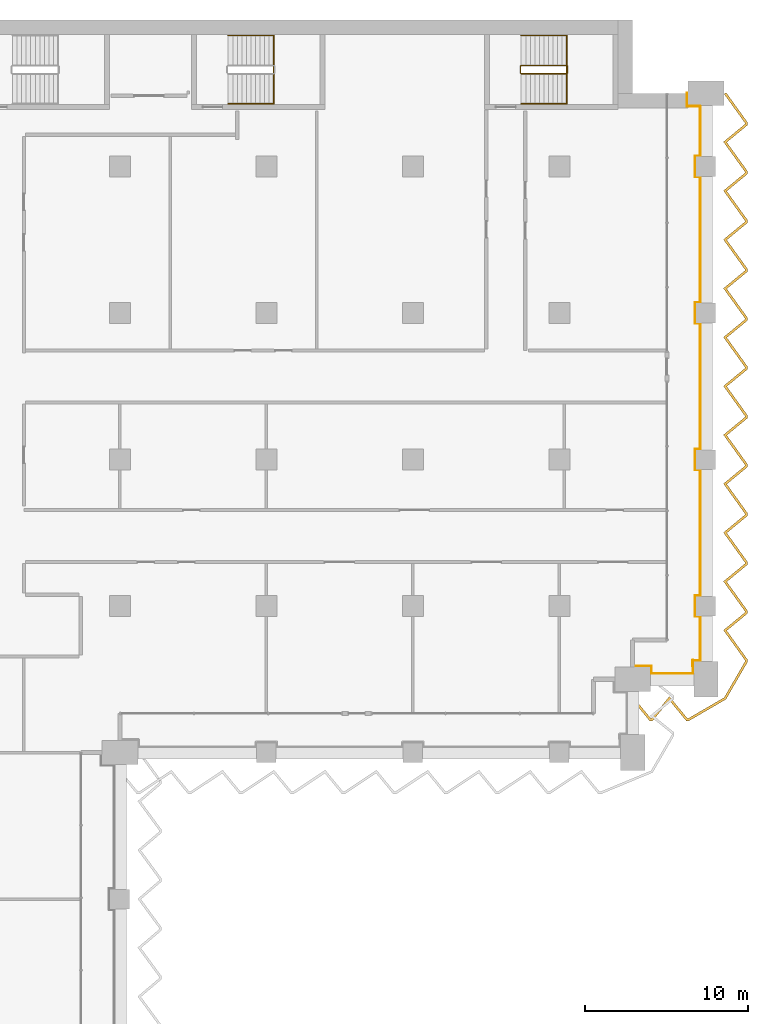
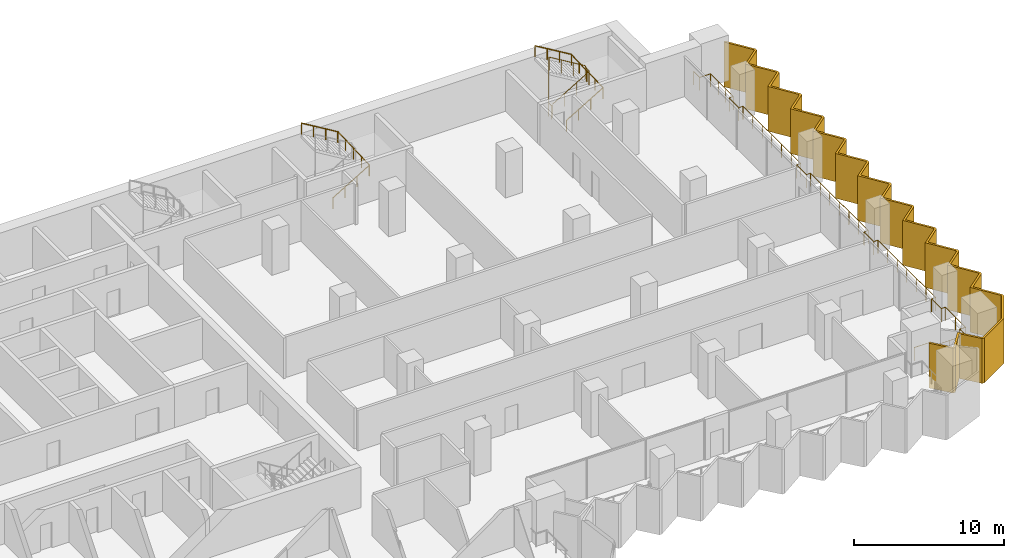
# One storey, part 23 of 23: 4 railings, 1 shading device.
"""IFC4 building model written with IfcOpenShell, lengths in metres."""

from ifc_helpers import new_model, si_unit, direction, frame, origin, origin_2d, place, context, subcontext, project, spatial, polyline, circle, outline, extrude, material, layer, layer_set, type_object, element, save


model = new_model("IFC4")

# Units and contexts
model_context = context("Model", 3, precision=1e-05, world=origin(), true_north=direction((0.0, 1.0)))
body_context = subcontext(model_context, "Body", "Model", "MODEL_VIEW")
ifc_project = project(units=[si_unit("LENGTHUNIT", "METRE"), si_unit("AREAUNIT", "SQUARE_METRE"), si_unit("VOLUMEUNIT", "CUBIC_METRE"), si_unit("PLANEANGLEUNIT", "RADIAN"), si_unit("MASSUNIT", "GRAM", prefix="KILO")], contexts=[model_context])

# Site, building, storey
site_placement = place(None, origin())
site = spatial("IfcSite", under=ifc_project, at=site_placement, CompositionType="ELEMENT")
building_placement = place(site_placement, origin())
building = spatial("IfcBuilding", under=site, at=building_placement, Name="Hunhe Ridgeline Campus", CompositionType="ELEMENT")
storey_placement = place(building_placement, frame((0.0, 0.0, 103.300048828125)))
storey = spatial("IfcBuildingStorey", under=building, at=storey_placement, Name="L25", CompositionType="ELEMENT", Elevation=103.300048828125)

# Railing
ifc_material_1 = material(Name="Steel Q355", Category="steel")
railing_type_1 = type_object("IfcRailingType", Name="Loggia guard 1100 Steel Q355", PredefinedType="GUARDRAIL", material=ifc_material_1)
railing_1_placement = place(storey_placement, frame((76.5, 59.320068359375, 0.0)))
element("IfcRailing", 1, at=railing_1_placement, inside=storey, type_object=railing_type_1, Name="Loggia guard 3", PredefinedType="GUARDRAIL", context=body_context, shape_type="SweptSolid", body=[
    extrude(circle(Radius=0.02392578125, at=origin_2d()), frame((0.0, 0.0, 1.076171875), z_axis=(1.0, 0.0, 0.0), x_axis=(0.0, 1.0, 0.0)), (0.0, 0.0, 1.0), 1.14990234375),
    extrude(circle(Radius=0.02392578125, at=origin_2d()), frame((1.14990234375, 0.0, 1.076171875), z_axis=(0.0, -1.0, 0.0), x_axis=(1.0, 0.0, 0.0)), (0.0, 0.0, 1.0), 0.469970703125),
    extrude(circle(Radius=0.02392578125, at=origin_2d()), frame((1.14990234375, -0.469970703125, 1.076171875), z_axis=(1.0, 0.0, 0.0), x_axis=(0.0, 1.0, 0.0)), (0.0, 0.0, 1.0), 2.550048828125),
    extrude(circle(Radius=0.02392578125, at=origin_2d()), frame((3.699951171875, -0.469970703125, 1.076171875), z_axis=(0.0, 1.0, 0.0), x_axis=(-1.0, 0.0, 0.0)), (0.0, 0.0, 1.0), 0.81982421875),
    extrude(circle(Radius=0.02392578125, at=origin_2d()), frame((3.699951171875, 0.349853515625, 1.076171875), z_axis=(-0.057129153726, -0.99836679622, 0.0), x_axis=(0.99836679622, -0.057129153726, 0.0)), (0.0, 0.0, 1.0), 0.350341796875),
    extrude(circle(Radius=0.02392578125, at=origin_2d()), frame((3.679931640625, 0.0, 1.076171875), z_axis=(0.0, 1.0, 0.0), x_axis=(-1.0, 0.0, 0.0)), (0.0, 0.0, 1.0), 0.329833984375),
    extrude(circle(Radius=0.02392578125, at=origin_2d()), frame((3.679931640625, 0.329833984375, 1.076171875), z_axis=(1.0, 0.0, 0.0), x_axis=(0.0, 1.0, 0.0)), (0.0, 0.0, 1.0), 0.469970703125),
    extrude(circle(Radius=0.02392578125, at=origin_2d()), frame((4.14990234375, 0.329833984375, 1.076171875), z_axis=(0.0, 1.0, 0.0), x_axis=(-1.0, 0.0, 0.0)), (0.0, 0.0, 1.0), 2.7001953125),
    extrude(circle(Radius=0.02392578125, at=origin_2d()), frame((4.14990234375, 3.030029296875, 1.076171875), z_axis=(-1.0, 0.0, 0.0), x_axis=(0.0, -1.0, 0.0)), (0.0, 0.0, 1.0), 0.31982421875),
    extrude(circle(Radius=0.02392578125, at=origin_2d()), frame((3.830078125, 3.030029296875, 1.076171875), z_axis=(0.0, 1.0, 0.0), x_axis=(-1.0, 0.0, 0.0)), (0.0, 0.0, 1.0), 1.2998046875),
    extrude(circle(Radius=0.02392578125, at=origin_2d()), frame((3.830078125, 4.329833984375, 1.076171875), z_axis=(1.0, 0.0, 0.0), x_axis=(0.0, 1.0, 0.0)), (0.0, 0.0, 1.0), 0.31982421875),
    extrude(circle(Radius=0.02392578125, at=origin_2d()), frame((4.14990234375, 4.329833984375, 1.076171875), z_axis=(0.0, 1.0, 0.0), x_axis=(-1.0, 0.0, 0.0)), (0.0, 0.0, 1.0), 7.7001953125),
    extrude(circle(Radius=0.02392578125, at=origin_2d()), frame((4.14990234375, 12.030029296875, 1.076171875), z_axis=(-1.0, 0.0, 0.0), x_axis=(0.0, -1.0, 0.0)), (0.0, 0.0, 1.0), 0.31982421875),
    extrude(circle(Radius=0.02392578125, at=origin_2d()), frame((3.830078125, 12.030029296875, 1.076171875), z_axis=(0.0, 1.0, 0.0), x_axis=(-1.0, 0.0, 0.0)), (0.0, 0.0, 1.0), 1.2998046875),
    extrude(circle(Radius=0.02392578125, at=origin_2d()), frame((3.830078125, 13.329833984375, 1.076171875), z_axis=(1.0, 0.0, 0.0), x_axis=(0.0, 1.0, 0.0)), (0.0, 0.0, 1.0), 0.31982421875),
    extrude(circle(Radius=0.02392578125, at=origin_2d()), frame((4.14990234375, 13.329833984375, 1.076171875), z_axis=(0.0, 1.0, 0.0), x_axis=(-1.0, 0.0, 0.0)), (0.0, 0.0, 1.0), 7.7001953125),
    extrude(circle(Radius=0.02392578125, at=origin_2d()), frame((4.14990234375, 21.030029296875, 1.076171875), z_axis=(-1.0, 0.0, 0.0), x_axis=(0.0, -1.0, 0.0)), (0.0, 0.0, 1.0), 0.31982421875),
    extrude(circle(Radius=0.02392578125, at=origin_2d()), frame((3.830078125, 21.030029296875, 1.076171875), z_axis=(0.0, 1.0, 0.0), x_axis=(-1.0, 0.0, 0.0)), (0.0, 0.0, 1.0), 1.2998046875),
    extrude(circle(Radius=0.02392578125, at=origin_2d()), frame((3.830078125, 22.329833984375, 1.076171875), z_axis=(1.0, 0.0, 0.0), x_axis=(0.0, 1.0, 0.0)), (0.0, 0.0, 1.0), 0.31982421875),
    extrude(circle(Radius=0.02392578125, at=origin_2d()), frame((4.14990234375, 22.329833984375, 1.076171875), z_axis=(0.0, 1.0, 0.0), x_axis=(-1.0, 0.0, 0.0)), (0.0, 0.0, 1.0), 7.7001953125),
    extrude(circle(Radius=0.02392578125, at=origin_2d()), frame((4.14990234375, 30.030029296875, 1.076171875), z_axis=(-1.0, 0.0, 0.0), x_axis=(0.0, -1.0, 0.0)), (0.0, 0.0, 1.0), 0.31982421875),
    extrude(circle(Radius=0.02392578125, at=origin_2d()), frame((3.830078125, 30.030029296875, 1.076171875), z_axis=(0.0, 1.0, 0.0), x_axis=(-1.0, 0.0, 0.0)), (0.0, 0.0, 1.0), 1.2998046875),
    extrude(circle(Radius=0.02392578125, at=origin_2d()), frame((3.830078125, 31.329833984375, 1.076171875), z_axis=(1.0, 0.0, 0.0), x_axis=(0.0, 1.0, 0.0)), (0.0, 0.0, 1.0), 0.31982421875),
    extrude(circle(Radius=0.02392578125, at=origin_2d()), frame((4.14990234375, 31.329833984375, 1.076171875), z_axis=(0.0, 1.0, 0.0), x_axis=(-1.0, 0.0, 0.0)), (0.0, 0.0, 1.0), 3.050048828125),
    extrude(circle(Radius=0.02392578125, at=origin_2d()), frame((4.14990234375, 34.3798828125, 1.076171875), z_axis=(-1.0, 0.0, 0.0), x_axis=(0.0, -1.0, 0.0)), (0.0, 0.0, 1.0), 0.81982421875),
    extrude(circle(Radius=0.02392578125, at=origin_2d()), frame((3.330078125, 34.3798828125, 1.076171875), z_axis=(0.0, 1.0, 0.0), x_axis=(-1.0, 0.0, 0.0)), (0.0, 0.0, 1.0), 0.800048828125),
    extrude(circle(Radius=0.02099609375, at=origin_2d()), origin(), (0.0, 0.0, 1.0), 1.052001953125),
    extrude(circle(Radius=0.02099609375, at=origin_2d()), frame((1.14990234375, 0.0, 0.0)), (0.0, 0.0, 1.0), 1.052001953125),
    extrude(circle(Radius=0.02099609375, at=origin_2d()), frame((1.14990234375, -0.469970703125, 0.0)), (0.0, 0.0, 1.0), 1.052001953125),
    extrude(circle(Radius=0.02099609375, at=origin_2d()), frame((2.4248046875, -0.469970703125, 0.0)), (0.0, 0.0, 1.0), 1.052001953125),
    extrude(circle(Radius=0.02099609375, at=origin_2d()), frame((3.699951171875, -0.469970703125, 0.0)), (0.0, 0.0, 1.0), 1.052001953125),
    extrude(circle(Radius=0.02099609375, at=origin_2d()), frame((3.699951171875, 0.349853515625, 0.0)), (0.0, 0.0, 1.0), 1.052001953125),
    extrude(circle(Radius=0.02099609375, at=origin_2d()), frame((3.679931640625, 0.0, 0.0)), (0.0, 0.0, 1.0), 1.052001953125),
    extrude(circle(Radius=0.02099609375, at=origin_2d()), frame((3.679931640625, 0.329833984375, 0.0)), (0.0, 0.0, 1.0), 1.052001953125),
    extrude(circle(Radius=0.02099609375, at=origin_2d()), frame((4.14990234375, 0.329833984375, 0.0)), (0.0, 0.0, 1.0), 1.052001953125),
    extrude(circle(Radius=0.02099609375, at=origin_2d()), frame((4.14990234375, 1.679931640625, 0.0)), (0.0, 0.0, 1.0), 1.052001953125),
    extrude(circle(Radius=0.02099609375, at=origin_2d()), frame((4.14990234375, 3.030029296875, 0.0)), (0.0, 0.0, 1.0), 1.052001953125),
    extrude(circle(Radius=0.02099609375, at=origin_2d()), frame((3.830078125, 3.030029296875, 0.0)), (0.0, 0.0, 1.0), 1.052001953125),
    extrude(circle(Radius=0.02099609375, at=origin_2d()), frame((3.830078125, 4.329833984375, 0.0)), (0.0, 0.0, 1.0), 1.052001953125),
    extrude(circle(Radius=0.02099609375, at=origin_2d()), frame((4.14990234375, 4.329833984375, 0.0)), (0.0, 0.0, 1.0), 1.052001953125),
    extrude(circle(Radius=0.02099609375, at=origin_2d()), frame((4.14990234375, 5.61328125, 0.0)), (0.0, 0.0, 1.0), 1.052001953125),
    extrude(circle(Radius=0.02099609375, at=origin_2d()), frame((4.14990234375, 6.896484375, 0.0)), (0.0, 0.0, 1.0), 1.052001953125),
    extrude(circle(Radius=0.02099609375, at=origin_2d()), frame((4.14990234375, 8.179931640625, 0.0)), (0.0, 0.0, 1.0), 1.052001953125),
    extrude(circle(Radius=0.02099609375, at=origin_2d()), frame((4.14990234375, 9.46337890625, 0.0)), (0.0, 0.0, 1.0), 1.052001953125),
    extrude(circle(Radius=0.02099609375, at=origin_2d()), frame((4.14990234375, 10.74658203125, 0.0)), (0.0, 0.0, 1.0), 1.052001953125),
    extrude(circle(Radius=0.02099609375, at=origin_2d()), frame((4.14990234375, 12.030029296875, 0.0)), (0.0, 0.0, 1.0), 1.052001953125),
    extrude(circle(Radius=0.02099609375, at=origin_2d()), frame((3.830078125, 12.030029296875, 0.0)), (0.0, 0.0, 1.0), 1.052001953125),
    extrude(circle(Radius=0.02099609375, at=origin_2d()), frame((3.830078125, 13.329833984375, 0.0)), (0.0, 0.0, 1.0), 1.052001953125),
    extrude(circle(Radius=0.02099609375, at=origin_2d()), frame((4.14990234375, 13.329833984375, 0.0)), (0.0, 0.0, 1.0), 1.052001953125),
    extrude(circle(Radius=0.02099609375, at=origin_2d()), frame((4.14990234375, 14.61328125, 0.0)), (0.0, 0.0, 1.0), 1.052001953125),
    extrude(circle(Radius=0.02099609375, at=origin_2d()), frame((4.14990234375, 15.896484375, 0.0)), (0.0, 0.0, 1.0), 1.052001953125),
    extrude(circle(Radius=0.02099609375, at=origin_2d()), frame((4.14990234375, 17.179931640625, 0.0)), (0.0, 0.0, 1.0), 1.052001953125),
    extrude(circle(Radius=0.02099609375, at=origin_2d()), frame((4.14990234375, 18.46337890625, 0.0)), (0.0, 0.0, 1.0), 1.052001953125),
    extrude(circle(Radius=0.02099609375, at=origin_2d()), frame((4.14990234375, 19.74658203125, 0.0)), (0.0, 0.0, 1.0), 1.052001953125),
    extrude(circle(Radius=0.02099609375, at=origin_2d()), frame((4.14990234375, 21.030029296875, 0.0)), (0.0, 0.0, 1.0), 1.052001953125),
    extrude(circle(Radius=0.02099609375, at=origin_2d()), frame((3.830078125, 21.030029296875, 0.0)), (0.0, 0.0, 1.0), 1.052001953125),
    extrude(circle(Radius=0.02099609375, at=origin_2d()), frame((3.830078125, 22.329833984375, 0.0)), (0.0, 0.0, 1.0), 1.052001953125),
    extrude(circle(Radius=0.02099609375, at=origin_2d()), frame((4.14990234375, 22.329833984375, 0.0)), (0.0, 0.0, 1.0), 1.052001953125),
    extrude(circle(Radius=0.02099609375, at=origin_2d()), frame((4.14990234375, 23.61328125, 0.0)), (0.0, 0.0, 1.0), 1.052001953125),
    extrude(circle(Radius=0.02099609375, at=origin_2d()), frame((4.14990234375, 24.896484375, 0.0)), (0.0, 0.0, 1.0), 1.052001953125),
    extrude(circle(Radius=0.02099609375, at=origin_2d()), frame((4.14990234375, 26.179931640625, 0.0)), (0.0, 0.0, 1.0), 1.052001953125),
    extrude(circle(Radius=0.02099609375, at=origin_2d()), frame((4.14990234375, 27.46337890625, 0.0)), (0.0, 0.0, 1.0), 1.052001953125),
    extrude(circle(Radius=0.02099609375, at=origin_2d()), frame((4.14990234375, 28.74658203125, 0.0)), (0.0, 0.0, 1.0), 1.052001953125),
    extrude(circle(Radius=0.02099609375, at=origin_2d()), frame((4.14990234375, 30.030029296875, 0.0)), (0.0, 0.0, 1.0), 1.052001953125),
    extrude(circle(Radius=0.02099609375, at=origin_2d()), frame((3.830078125, 30.030029296875, 0.0)), (0.0, 0.0, 1.0), 1.052001953125),
    extrude(circle(Radius=0.02099609375, at=origin_2d()), frame((3.830078125, 31.329833984375, 0.0)), (0.0, 0.0, 1.0), 1.052001953125),
    extrude(circle(Radius=0.02099609375, at=origin_2d()), frame((4.14990234375, 31.329833984375, 0.0)), (0.0, 0.0, 1.0), 1.052001953125),
    extrude(circle(Radius=0.02099609375, at=origin_2d()), frame((4.14990234375, 32.346435546875, 0.0)), (0.0, 0.0, 1.0), 1.052001953125),
    extrude(circle(Radius=0.02099609375, at=origin_2d()), frame((4.14990234375, 33.36328125, 0.0)), (0.0, 0.0, 1.0), 1.052001953125),
    extrude(circle(Radius=0.02099609375, at=origin_2d()), frame((4.14990234375, 34.3798828125, 0.0)), (0.0, 0.0, 1.0), 1.052001953125),
    extrude(circle(Radius=0.02099609375, at=origin_2d()), frame((3.330078125, 34.3798828125, 0.0)), (0.0, 0.0, 1.0), 1.052001953125),
    extrude(circle(Radius=0.02099609375, at=origin_2d()), frame((3.330078125, 35.179931640625, 0.0)), (0.0, 0.0, 1.0), 1.052001953125),
])

# Shading device
ifc_material_2 = material(Name="Concrete C50", Category="concrete")
ifc_layer = layer(ifc_material_2, 0.14990234375)
ifc_layer_set = layer_set([ifc_layer], Name="Sawtooth concrete fin 150 Concrete C50")
shading_device_type = type_object("IfcShadingDeviceType", Name="Sawtooth concrete fin 150 Concrete C50", PredefinedType="USERDEFINED", material=ifc_layer_set)
shading_device_placement = place(storey_placement, frame((0.0, 0.0, -0.949951171875)))
element("IfcShadingDevice", 2, at=shading_device_placement, inside=storey, type_object=shading_device_type, Name="Concrete fin screen 3", ObjectType="FIN", PredefinedType="USERDEFINED", context=body_context, shape_type="SweptSolid", body=[
    extrude(outline(polyline([(76.557861328125, 57.372802734375), (76.442138671875, 57.27734375), (77.537353515625, 55.949951171875), (77.728271484375, 55.949951171875), (78.75048828125, 57.20654296875), (79.787353515625, 55.949951171875), (79.962890625, 55.949951171875), (82.22998046875, 57.270263671875), (83.550048828125, 59.552490234375), (83.550048828125, 59.716796875), (82.27685546875, 61.48681640625), (83.550048828125, 62.537353515625), (83.550048828125, 62.716796875), (82.27685546875, 64.48681640625), (83.550048828125, 65.537353515625), (83.550048828125, 65.716796875), (82.27685546875, 67.48681640625), (83.550048828125, 68.537353515625), (83.550048828125, 68.716796875), (82.27685546875, 70.48681640625), (83.550048828125, 71.537353515625), (83.550048828125, 71.716796875), (82.27685546875, 73.48681640625), (83.550048828125, 74.537353515625), (83.550048828125, 74.716796875), (82.27685546875, 76.48681640625), (83.550048828125, 77.537353515625), (83.550048828125, 77.716796875), (82.27685546875, 79.48681640625), (83.550048828125, 80.537353515625), (83.550048828125, 80.716796875), (82.27685546875, 82.48681640625), (83.550048828125, 83.537353515625), (83.550048828125, 83.716796875), (82.27685546875, 85.48681640625), (83.550048828125, 86.537353515625), (83.550048828125, 86.716796875), (82.27685546875, 88.48681640625), (83.550048828125, 89.537353515625), (83.550048828125, 89.716796875), (82.27685546875, 91.48681640625), (83.550048828125, 92.537353515625), (83.550048828125, 92.716796875), (82.23583984375, 94.543701171875), (82.114013671875, 94.456298828125), (83.39990234375, 92.66845703125), (83.39990234375, 92.60791015625), (82.0732421875, 91.51318359375), (83.39990234375, 89.66845703125), (83.39990234375, 89.60791015625), (82.0732421875, 88.51318359375), (83.39990234375, 86.66845703125), (83.39990234375, 86.60791015625), (82.0732421875, 85.51318359375), (83.39990234375, 83.66845703125), (83.39990234375, 83.60791015625), (82.0732421875, 82.51318359375), (83.39990234375, 80.66845703125), (83.39990234375, 80.60791015625), (82.0732421875, 79.51318359375), (83.39990234375, 77.66845703125), (83.39990234375, 77.60791015625), (82.0732421875, 76.51318359375), (83.39990234375, 74.66845703125), (83.39990234375, 74.60791015625), (82.0732421875, 73.51318359375), (83.39990234375, 71.66845703125), (83.39990234375, 71.60791015625), (82.0732421875, 70.51318359375), (83.39990234375, 68.66845703125), (83.39990234375, 68.60791015625), (82.0732421875, 67.51318359375), (83.39990234375, 65.66845703125), (83.39990234375, 65.60791015625), (82.0732421875, 64.51318359375), (83.39990234375, 62.66845703125), (83.39990234375, 62.60791015625), (82.0732421875, 61.51318359375), (83.39990234375, 59.66845703125), (83.39990234375, 59.5927734375), (82.1201171875, 57.3798828125), (79.92236328125, 56.10009765625), (79.85791015625, 56.10009765625), (78.74951171875, 57.443359375), (77.656982421875, 56.10009765625), (77.60791015625, 56.10009765625), (76.557861328125, 57.372802734375)])), origin(), (0.0, 0.0, 1.0), 3.64990234375),
])

# Railings
ifc_material_3 = material(Name="Stainless steel balustrade", Category="steel")
railing_type_2 = type_object("IfcRailingType", Name="Stair guard 1100 stainless", PredefinedType="GUARDRAIL", material=ifc_material_3)
railing_2_placement = place(storey_placement, frame((69.64990234375, 95.699951171875, 0.168212890625)))
element("IfcRailing", 3, at=railing_2_placement, inside=storey, type_object=railing_type_2, Name="L25 stair E3 guard", PredefinedType="GUARDRAIL", context=body_context, shape_type="SweptSolid", body=[
    extrude(circle(Radius=0.02392578125, at=origin_2d()), frame((0.0, 0.0, 1.076171875), z_axis=(0.857275202839, 0.0, 0.514858452973), x_axis=(0.0, 1.0, 0.0)), (0.0, 0.0, 1.0), 3.26611328125),
    extrude(circle(Radius=0.02392578125, at=origin_2d()), frame((2.800048828125, 0.0, 2.7578125), z_axis=(0.707106781187, 0.707106781187, 0.0), x_axis=(-0.707106781187, 0.707106781187, 0.0)), (0.0, 0.0, 1.0), 0.07080078125),
    extrude(circle(Radius=0.02392578125, at=origin_2d()), frame((2.85009765625, 0.050048828125, 2.7578125), z_axis=(0.0, 1.0, 0.0), x_axis=(-1.0, 0.0, 0.0)), (0.0, 0.0, 1.0), 0.39990234375),
    extrude(circle(Radius=0.02392578125, at=origin_2d()), frame((2.85009765625, 0.449951171875, 2.7578125), z_axis=(-0.274243871929, 0.274243871929, 0.92172696468), x_axis=(-0.707106781187, -0.707106781187, 0.0)), (0.0, 0.0, 1.0), 0.1826171875),
    extrude(circle(Radius=0.02392578125, at=origin_2d()), frame((2.800048828125, 0.5, 2.92578125), z_axis=(-0.857242210791, 0.0, 0.514913383045), x_axis=(0.0, -1.0, 0.0)), (0.0, 0.0, 1.0), 3.266357421875),
    extrude(circle(Radius=0.02392578125, at=origin_2d()), frame((0.0, 0.5, 4.60791015625), z_axis=(-0.013458453615, -0.013524426427, -0.999817963389), x_axis=(0.708833529934, -0.705375805398, 0.0)), (0.0, 0.0, 1.0), 3.70068359375),
    extrude(circle(Radius=0.02392578125, at=origin_2d()), frame((-0.0498046875, 0.449951171875, 0.90771484375), z_axis=(0.0, -1.0, 0.0), x_axis=(1.0, 0.0, 0.0)), (0.0, 0.0, 1.0), 0.39990234375),
    extrude(circle(Radius=0.02099609375, at=origin_2d()), origin(), (0.0, 0.0, 1.0), 1.052001953125),
    extrude(circle(Radius=0.02099609375, at=origin_2d()), frame((0.933349609375, 0.0, 0.560546875)), (0.0, 0.0, 1.0), 1.052001953125),
    extrude(circle(Radius=0.02099609375, at=origin_2d()), frame((1.86669921875, 0.0, 1.12109375)), (0.0, 0.0, 1.0), 1.052001953125),
    extrude(circle(Radius=0.02099609375, at=origin_2d()), frame((2.800048828125, 0.0, 1.681640625)), (0.0, 0.0, 1.0), 1.052001953125),
    extrude(circle(Radius=0.02099609375, at=origin_2d()), frame((2.85009765625, 0.050048828125, 1.681640625)), (0.0, 0.0, 1.0), 1.052001953125),
    extrude(circle(Radius=0.02099609375, at=origin_2d()), frame((2.85009765625, 0.449951171875, 1.681640625)), (0.0, 0.0, 1.0), 1.052001953125),
    extrude(circle(Radius=0.02099609375, at=origin_2d()), frame((2.800048828125, 0.5, 1.849853515625)), (0.0, 0.0, 1.0), 1.052001953125),
    extrude(circle(Radius=0.02099609375, at=origin_2d()), frame((1.86669921875, 0.5, 2.410400390625)), (0.0, 0.0, 1.0), 1.052001953125),
    extrude(circle(Radius=0.02099609375, at=origin_2d()), frame((0.933349609375, 0.5, 2.97119140625)), (0.0, 0.0, 1.0), 1.052001953125),
    extrude(circle(Radius=0.02099609375, at=origin_2d()), frame((0.0, 0.5, 3.53173828125)), (0.0, 0.0, 1.0), 1.052001953125),
    extrude(circle(Radius=0.02099609375, at=origin_2d()), frame((-0.012451171875, 0.487548828125, 2.606689453125)), (0.0, 0.0, 1.0), 1.052001953125),
    extrude(circle(Radius=0.02099609375, at=origin_2d()), frame((-0.02490234375, 0.47509765625, 1.681640625)), (0.0, 0.0, 1.0), 1.052001953125),
    extrude(circle(Radius=0.02099609375, at=origin_2d()), frame((-0.037353515625, 0.46240234375, 0.7568359375)), (0.0, 0.0, 1.0), 1.052001953125),
    extrude(circle(Radius=0.02099609375, at=origin_2d()), frame((-0.0498046875, 0.449951171875, -0.168212890625)), (0.0, 0.0, 1.0), 1.052001953125),
    extrude(circle(Radius=0.02099609375, at=origin_2d()), frame((-0.0498046875, 0.050048828125, -0.168212890625)), (0.0, 0.0, 1.0), 1.052001953125),
])
ifc_material_4 = material(Name="Stainless steel handrail", Category="steel")
railing_type_3 = type_object("IfcRailingType", Name="Stair handrail 900 stainless", PredefinedType="HANDRAIL", material=ifc_material_4)
railing_3_placement = place(storey_placement, frame((51.64990234375, 93.85009765625, 0.168212890625)))
element("IfcRailing", 4, at=railing_3_placement, inside=storey, type_object=railing_type_3, Name="L25 stair E2 handrail", PredefinedType="HANDRAIL", context=body_context, shape_type="SweptSolid", body=[
    extrude(circle(Radius=0.02392578125, at=origin_2d()), frame((0.0, 0.0, 0.8759765625), z_axis=(0.857275202839, 0.0, 0.514858452973), x_axis=(0.0, 1.0, 0.0)), (0.0, 0.0, 1.0), 3.26611328125),
    extrude(circle(Radius=0.02392578125, at=origin_2d()), frame((2.800048828125, 0.0, 2.5576171875), z_axis=(0.0, 0.999198916169, 0.040019069537), x_axis=(-1.0, 0.0, 0.0)), (0.0, 0.0, 1.0), 4.203369140625),
    extrude(circle(Radius=0.02392578125, at=origin_2d()), frame((2.800048828125, 4.199951171875, 2.7255859375), z_axis=(-0.857242210791, 0.0, 0.514913383045), x_axis=(0.0, -1.0, 0.0)), (0.0, 0.0, 1.0), 3.266357421875),
    extrude(circle(Radius=0.02099609375, at=origin_2d()), origin(), (0.0, 0.0, 1.0), 0.851806640625),
    extrude(circle(Radius=0.02099609375, at=origin_2d()), frame((0.933349609375, 0.0, 0.560546875)), (0.0, 0.0, 1.0), 0.851806640625),
    extrude(circle(Radius=0.02099609375, at=origin_2d()), frame((1.86669921875, 0.0, 1.12109375)), (0.0, 0.0, 1.0), 0.851806640625),
    extrude(circle(Radius=0.02099609375, at=origin_2d()), frame((2.800048828125, 0.0, 1.681640625)), (0.0, 0.0, 1.0), 0.851806640625),
    extrude(circle(Radius=0.02099609375, at=origin_2d()), frame((2.800048828125, 1.050048828125, 1.7236328125)), (0.0, 0.0, 1.0), 0.851806640625),
    extrude(circle(Radius=0.02099609375, at=origin_2d()), frame((2.800048828125, 2.10009765625, 1.765625)), (0.0, 0.0, 1.0), 0.851806640625),
    extrude(circle(Radius=0.02099609375, at=origin_2d()), frame((2.800048828125, 3.14990234375, 1.807861328125)), (0.0, 0.0, 1.0), 0.851806640625),
    extrude(circle(Radius=0.02099609375, at=origin_2d()), frame((2.800048828125, 4.199951171875, 1.849853515625)), (0.0, 0.0, 1.0), 0.851806640625),
    extrude(circle(Radius=0.02099609375, at=origin_2d()), frame((1.86669921875, 4.199951171875, 2.410400390625)), (0.0, 0.0, 1.0), 0.851806640625),
    extrude(circle(Radius=0.02099609375, at=origin_2d()), frame((0.933349609375, 4.199951171875, 2.97119140625)), (0.0, 0.0, 1.0), 0.851806640625),
    extrude(circle(Radius=0.02099609375, at=origin_2d()), frame((0.0, 4.199951171875, 3.53173828125)), (0.0, 0.0, 1.0), 0.851806640625),
])
railing_4_placement = place(storey_placement, frame((69.64990234375, 93.85009765625, 0.168212890625)))
element("IfcRailing", 5, at=railing_4_placement, inside=storey, type_object=railing_type_3, Name="L25 stair E3 handrail", PredefinedType="HANDRAIL", context=body_context, shape_type="SweptSolid", body=[
    extrude(circle(Radius=0.02392578125, at=origin_2d()), frame((0.0, 0.0, 0.8759765625), z_axis=(0.857275202839, 0.0, 0.514858452973), x_axis=(0.0, 1.0, 0.0)), (0.0, 0.0, 1.0), 3.26611328125),
    extrude(circle(Radius=0.02392578125, at=origin_2d()), frame((2.800048828125, 0.0, 2.5576171875), z_axis=(0.0, 0.999198916169, 0.040019069537), x_axis=(-1.0, 0.0, 0.0)), (0.0, 0.0, 1.0), 4.203369140625),
    extrude(circle(Radius=0.02392578125, at=origin_2d()), frame((2.800048828125, 4.199951171875, 2.7255859375), z_axis=(-0.857242210791, 0.0, 0.514913383045), x_axis=(0.0, -1.0, 0.0)), (0.0, 0.0, 1.0), 3.266357421875),
    extrude(circle(Radius=0.02099609375, at=origin_2d()), origin(), (0.0, 0.0, 1.0), 0.851806640625),
    extrude(circle(Radius=0.02099609375, at=origin_2d()), frame((0.933349609375, 0.0, 0.560546875)), (0.0, 0.0, 1.0), 0.851806640625),
    extrude(circle(Radius=0.02099609375, at=origin_2d()), frame((1.86669921875, 0.0, 1.12109375)), (0.0, 0.0, 1.0), 0.851806640625),
    extrude(circle(Radius=0.02099609375, at=origin_2d()), frame((2.800048828125, 0.0, 1.681640625)), (0.0, 0.0, 1.0), 0.851806640625),
    extrude(circle(Radius=0.02099609375, at=origin_2d()), frame((2.800048828125, 1.050048828125, 1.7236328125)), (0.0, 0.0, 1.0), 0.851806640625),
    extrude(circle(Radius=0.02099609375, at=origin_2d()), frame((2.800048828125, 2.10009765625, 1.765625)), (0.0, 0.0, 1.0), 0.851806640625),
    extrude(circle(Radius=0.02099609375, at=origin_2d()), frame((2.800048828125, 3.14990234375, 1.807861328125)), (0.0, 0.0, 1.0), 0.851806640625),
    extrude(circle(Radius=0.02099609375, at=origin_2d()), frame((2.800048828125, 4.199951171875, 1.849853515625)), (0.0, 0.0, 1.0), 0.851806640625),
    extrude(circle(Radius=0.02099609375, at=origin_2d()), frame((1.86669921875, 4.199951171875, 2.410400390625)), (0.0, 0.0, 1.0), 0.851806640625),
    extrude(circle(Radius=0.02099609375, at=origin_2d()), frame((0.933349609375, 4.199951171875, 2.97119140625)), (0.0, 0.0, 1.0), 0.851806640625),
    extrude(circle(Radius=0.02099609375, at=origin_2d()), frame((0.0, 4.199951171875, 3.53173828125)), (0.0, 0.0, 1.0), 0.851806640625),
])

save(model, "model.ifc")
